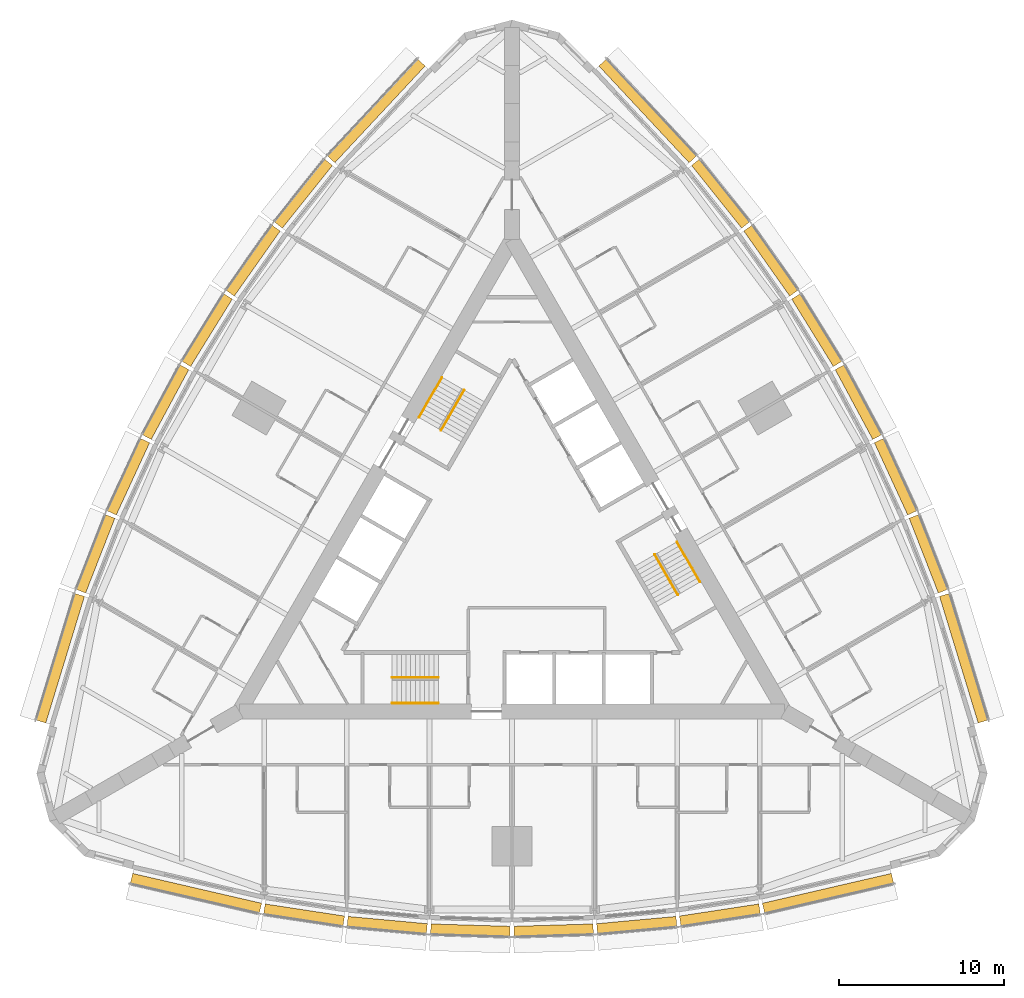
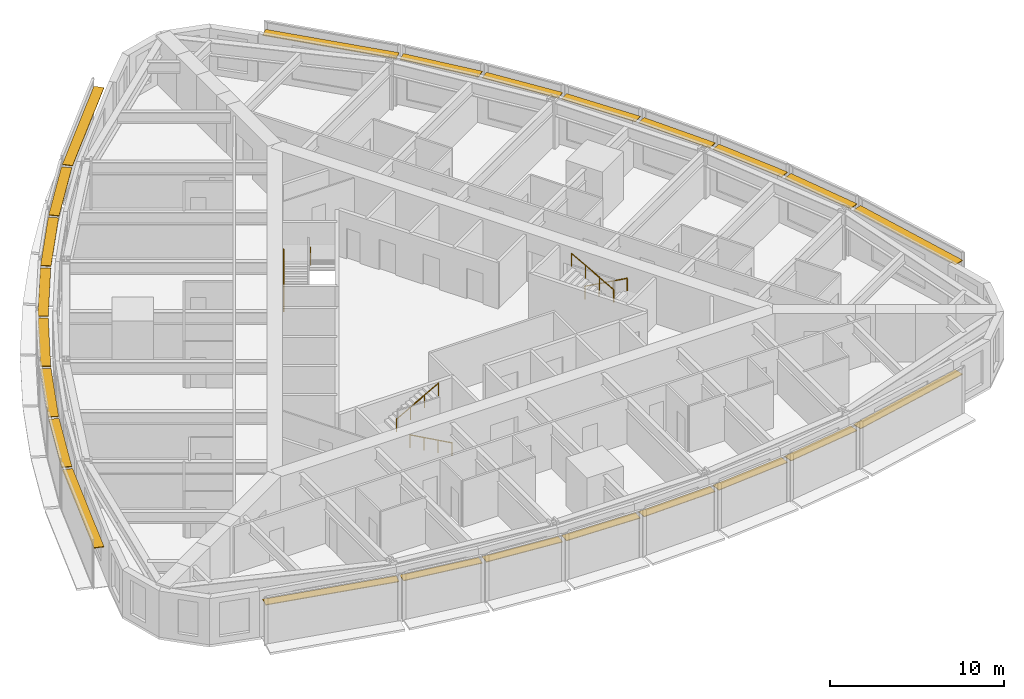
# One storey, part 14 of 14: 24 shading devices, 6 railings.
"""IFC4 building model written with IfcOpenShell, lengths in metres."""

from ifc_helpers import new_model, si_unit, direction, frame, origin, origin_2d, place, context, subcontext, project, spatial, rectangle, circle, extrude, material, type_object, element, save


model = new_model("IFC4")

# Units and contexts
model_context = context("Model", 3, precision=1e-05, world=origin(), true_north=direction((0.0, 1.0)))
body_context = subcontext(model_context, "Body", "Model", "MODEL_VIEW")
ifc_project = project(units=[si_unit("LENGTHUNIT", "METRE"), si_unit("AREAUNIT", "SQUARE_METRE"), si_unit("VOLUMEUNIT", "CUBIC_METRE"), si_unit("PLANEANGLEUNIT", "RADIAN"), si_unit("MASSUNIT", "GRAM", prefix="KILO")], contexts=[model_context])

# Site, building, storey
site_placement = place(None, origin())
site = spatial("IfcSite", under=ifc_project, at=site_placement, CompositionType="ELEMENT")
building_placement = place(site_placement, origin())
building = spatial("IfcBuilding", under=site, at=building_placement, Name="Trikona Tower", CompositionType="ELEMENT")
storey_placement = place(building_placement, frame((0.0, 0.0, 28.5)))
storey = spatial("IfcBuildingStorey", under=building, at=storey_placement, Name="L05", CompositionType="ELEMENT", Elevation=28.5)

# Shading devices
ifc_material_1 = material(Name="Aluminium louvre blade, pale anodised", Category="aluminium")
shading_device_type = type_object("IfcShadingDeviceType", Name="Cavity louvre 600", PredefinedType="USERDEFINED", material=ifc_material_1)
shading_device_1_placement = place(storey_placement, frame((-19.126220703125, -20.5234375, 2.77490234375), z_axis=(0.0, 0.0, 1.0), x_axis=(0.974277718622, -0.225350675607, 0.0)))
element("IfcShadingDevice", 1, at=shading_device_1_placement, inside=storey, type_object=shading_device_type, Name="Cavity louvre L05-00", ObjectType="LOUVRE", PredefinedType="USERDEFINED", context=body_context, shape_type="SweptSolid", body=[
    extrude(rectangle(XDim=8.01123046875, YDim=0.60009765625, at=origin_2d()), origin(), (0.0, 0.0, 1.0), 0.050048828125),
])
shading_device_2_placement = place(storey_placement, frame((-12.584228515625, -21.837158203125, 2.77490234375), z_axis=(0.0, 0.0, 1.0), x_axis=(0.988617896768, -0.150448177754, 0.0)))
element("IfcShadingDevice", 2, at=shading_device_2_placement, inside=storey, type_object=shading_device_type, Name="Cavity louvre L05-01", ObjectType="LOUVRE", PredefinedType="USERDEFINED", context=body_context, shape_type="SweptSolid", body=[
    extrude(rectangle(XDim=4.857666015625, YDim=0.60009765625, at=origin_2d()), origin(), (0.0, 0.0, 1.0), 0.050048828125),
])
shading_device_3_placement = place(storey_placement, frame((-7.55078125, -22.44970703125, 2.77490234375), z_axis=(0.0, 0.0, 1.0), x_axis=(0.995858098326, -0.090921108655, 0.0)))
element("IfcShadingDevice", 3, at=shading_device_3_placement, inside=storey, type_object=shading_device_type, Name="Cavity louvre L05-02", ObjectType="LOUVRE", PredefinedType="USERDEFINED", context=body_context, shape_type="SweptSolid", body=[
    extrude(rectangle(XDim=4.82080078125, YDim=0.60009765625, at=origin_2d()), origin(), (0.0, 0.0, 1.0), 0.050048828125),
])
for number, where, z_axis, x_axis, name in (
    (4, (-2.51708984375, -22.756103515625, 2.77490234375), (0.0, 0.0, 1.0), (0.999537048889, -0.030425119525, 0.0), "Cavity louvre L05-03"),
    (5, (2.51708984375, -22.756103515625, 2.77490234375), (0.0, 0.0, 1.0), (0.999537048889, 0.030425119525, 0.0), "Cavity louvre L05-04"),
):
    element("IfcShadingDevice", number, at=place(storey_placement, frame(where, z_axis=z_axis, x_axis=x_axis)), inside=storey, type_object=shading_device_type, Name=name, ObjectType="LOUVRE", PredefinedType="USERDEFINED", context=body_context, shape_type="SweptSolid", body=[
        extrude(rectangle(XDim=4.80224609375, YDim=0.60009765625, at=origin_2d()), origin(), (0.0, 0.0, 1.0), 0.050048828125),
    ])
shading_device_4_placement = place(storey_placement, frame((7.55078125, -22.44970703125, 2.77490234375), z_axis=(0.0, 0.0, 1.0), x_axis=(0.995858098326, 0.090921108655, 0.0)))
element("IfcShadingDevice", 6, at=shading_device_4_placement, inside=storey, type_object=shading_device_type, Name="Cavity louvre L05-05", ObjectType="LOUVRE", PredefinedType="USERDEFINED", context=body_context, shape_type="SweptSolid", body=[
    extrude(rectangle(XDim=4.82080078125, YDim=0.60009765625, at=origin_2d()), origin(), (0.0, 0.0, 1.0), 0.050048828125),
])
shading_device_5_placement = place(storey_placement, frame((12.584228515625, -21.837158203125, 2.77490234375), z_axis=(0.0, 0.0, 1.0), x_axis=(0.988617896768, 0.150448177754, 0.0)))
element("IfcShadingDevice", 7, at=shading_device_5_placement, inside=storey, type_object=shading_device_type, Name="Cavity louvre L05-06", ObjectType="LOUVRE", PredefinedType="USERDEFINED", context=body_context, shape_type="SweptSolid", body=[
    extrude(rectangle(XDim=4.857666015625, YDim=0.60009765625, at=origin_2d()), origin(), (0.0, 0.0, 1.0), 0.050048828125),
])
for number, where, z_axis, x_axis, name in (
    (8, (19.126220703125, -20.5234375, 2.77490234375), (0.0, 0.0, 1.0), (0.974277718622, 0.225350675607, 0.0), "Cavity louvre L05-07"),
    (9, (27.3369140625, -6.302001953125, 2.77490234375), (0.0, 0.0, 1.0), (-0.291979449475, 0.956424592471, 0.0), "Cavity louvre L05-12"),
):
    element("IfcShadingDevice", number, at=place(storey_placement, frame(where, z_axis=z_axis, x_axis=x_axis)), inside=storey, type_object=shading_device_type, Name=name, ObjectType="LOUVRE", PredefinedType="USERDEFINED", context=body_context, shape_type="SweptSolid", body=[
        extrude(rectangle(XDim=8.01123046875, YDim=0.60009765625, at=origin_2d()), origin(), (0.0, 0.0, 1.0), 0.050048828125),
    ])
shading_device_6_placement = place(storey_placement, frame((25.20361328125, 0.020263671875, 2.77490234375), z_axis=(0.0, 0.0, 1.0), x_axis=(-0.364008876551, 0.931395478726, 0.0)))
element("IfcShadingDevice", 10, at=shading_device_6_placement, inside=storey, type_object=shading_device_type, Name="Cavity louvre L05-13", ObjectType="LOUVRE", PredefinedType="USERDEFINED", context=body_context, shape_type="SweptSolid", body=[
    extrude(rectangle(XDim=4.857666015625, YDim=0.60009765625, at=origin_2d()), origin(), (0.0, 0.0, 1.0), 0.050048828125),
])
shading_device_7_placement = place(storey_placement, frame((23.217529296875, 4.685546875, 2.77490234375), z_axis=(0.0, 0.0, 1.0), x_axis=(-0.41919381307, 0.907896771161, 0.0)))
element("IfcShadingDevice", 11, at=shading_device_7_placement, inside=storey, type_object=shading_device_type, Name="Cavity louvre L05-14", ObjectType="LOUVRE", PredefinedType="USERDEFINED", context=body_context, shape_type="SweptSolid", body=[
    extrude(rectangle(XDim=4.82080078125, YDim=0.60009765625, at=origin_2d()), origin(), (0.0, 0.0, 1.0), 0.050048828125),
])
for number, where, z_axis, x_axis, name in (
    (12, (20.966064453125, 9.1982421875, 2.77490234375), (0.0, 0.0, 1.0), (-0.473422672721, 0.880835383572, 0.0), "Cavity louvre L05-15"),
    (13, (18.448974609375, 13.557861328125, 2.77490234375), (0.0, 0.0, 1.0), (-0.526118935114, 0.85041099835, 0.0), "Cavity louvre L05-16"),
):
    element("IfcShadingDevice", number, at=place(storey_placement, frame(where, z_axis=z_axis, x_axis=x_axis)), inside=storey, type_object=shading_device_type, Name=name, ObjectType="LOUVRE", PredefinedType="USERDEFINED", context=body_context, shape_type="SweptSolid", body=[
        extrude(rectangle(XDim=4.80224609375, YDim=0.60009765625, at=origin_2d()), origin(), (0.0, 0.0, 1.0), 0.050048828125),
    ])
shading_device_8_placement = place(storey_placement, frame((15.666748046875, 17.76416015625, 2.77490234375), z_axis=(0.0, 0.0, 1.0), x_axis=(-0.576661909499, 0.816982889743, 0.0)))
element("IfcShadingDevice", 14, at=shading_device_8_placement, inside=storey, type_object=shading_device_type, Name="Cavity louvre L05-17", ObjectType="LOUVRE", PredefinedType="USERDEFINED", context=body_context, shape_type="SweptSolid", body=[
    extrude(rectangle(XDim=4.82080078125, YDim=0.60009765625, at=origin_2d()), origin(), (0.0, 0.0, 1.0), 0.050048828125),
])
shading_device_9_placement = place(storey_placement, frame((12.619384765625, 21.81689453125, 2.77490234375), z_axis=(0.0, 0.0, 1.0), x_axis=(-0.624603618277, 0.780941944087, 0.0)))
element("IfcShadingDevice", 15, at=shading_device_9_placement, inside=storey, type_object=shading_device_type, Name="Cavity louvre L05-18", ObjectType="LOUVRE", PredefinedType="USERDEFINED", context=body_context, shape_type="SweptSolid", body=[
    extrude(rectangle(XDim=4.857666015625, YDim=0.60009765625, at=origin_2d()), origin(), (0.0, 0.0, 1.0), 0.050048828125),
])
for number, where, z_axis, x_axis, name in (
    (16, (8.210693359375, 26.825439453125, 2.77490234375), (0.0, 0.0, 1.0), (-0.682298269147, 0.731073916864, 0.0), "Cavity louvre L05-19"),
    (17, (-8.210693359375, 26.825439453125, 2.77490234375), (0.0, 0.0, 1.0), (-0.682298269147, -0.731073916864, 0.0), "Cavity louvre L05-24"),
):
    element("IfcShadingDevice", number, at=place(storey_placement, frame(where, z_axis=z_axis, x_axis=x_axis)), inside=storey, type_object=shading_device_type, Name=name, ObjectType="LOUVRE", PredefinedType="USERDEFINED", context=body_context, shape_type="SweptSolid", body=[
        extrude(rectangle(XDim=8.01123046875, YDim=0.60009765625, at=origin_2d()), origin(), (0.0, 0.0, 1.0), 0.050048828125),
    ])
shading_device_10_placement = place(storey_placement, frame((-12.619384765625, 21.81689453125, 2.77490234375), z_axis=(0.0, 0.0, 1.0), x_axis=(-0.624603618277, -0.780941944087, 0.0)))
element("IfcShadingDevice", 18, at=shading_device_10_placement, inside=storey, type_object=shading_device_type, Name="Cavity louvre L05-25", ObjectType="LOUVRE", PredefinedType="USERDEFINED", context=body_context, shape_type="SweptSolid", body=[
    extrude(rectangle(XDim=4.857666015625, YDim=0.60009765625, at=origin_2d()), origin(), (0.0, 0.0, 1.0), 0.050048828125),
])
shading_device_11_placement = place(storey_placement, frame((-15.666748046875, 17.76416015625, 2.77490234375), z_axis=(0.0, 0.0, 1.0), x_axis=(-0.576661909499, -0.816982889743, 0.0)))
element("IfcShadingDevice", 19, at=shading_device_11_placement, inside=storey, type_object=shading_device_type, Name="Cavity louvre L05-26", ObjectType="LOUVRE", PredefinedType="USERDEFINED", context=body_context, shape_type="SweptSolid", body=[
    extrude(rectangle(XDim=4.82080078125, YDim=0.60009765625, at=origin_2d()), origin(), (0.0, 0.0, 1.0), 0.050048828125),
])
for number, where, z_axis, x_axis, name in (
    (20, (-18.448974609375, 13.557861328125, 2.77490234375), (0.0, 0.0, 1.0), (-0.526118935114, -0.85041099835, 0.0), "Cavity louvre L05-27"),
    (21, (-20.966064453125, 9.1982421875, 2.77490234375), (0.0, 0.0, 1.0), (-0.473422672721, -0.880835383572, 0.0), "Cavity louvre L05-28"),
):
    element("IfcShadingDevice", number, at=place(storey_placement, frame(where, z_axis=z_axis, x_axis=x_axis)), inside=storey, type_object=shading_device_type, Name=name, ObjectType="LOUVRE", PredefinedType="USERDEFINED", context=body_context, shape_type="SweptSolid", body=[
        extrude(rectangle(XDim=4.80224609375, YDim=0.60009765625, at=origin_2d()), origin(), (0.0, 0.0, 1.0), 0.050048828125),
    ])
shading_device_12_placement = place(storey_placement, frame((-23.217529296875, 4.685546875, 2.77490234375), z_axis=(0.0, 0.0, 1.0), x_axis=(-0.41919381307, -0.907896771161, 0.0)))
element("IfcShadingDevice", 22, at=shading_device_12_placement, inside=storey, type_object=shading_device_type, Name="Cavity louvre L05-29", ObjectType="LOUVRE", PredefinedType="USERDEFINED", context=body_context, shape_type="SweptSolid", body=[
    extrude(rectangle(XDim=4.82080078125, YDim=0.60009765625, at=origin_2d()), origin(), (0.0, 0.0, 1.0), 0.050048828125),
])
shading_device_13_placement = place(storey_placement, frame((-25.20361328125, 0.020263671875, 2.77490234375), z_axis=(0.0, 0.0, 1.0), x_axis=(-0.364008876551, -0.931395478726, 0.0)))
element("IfcShadingDevice", 23, at=shading_device_13_placement, inside=storey, type_object=shading_device_type, Name="Cavity louvre L05-30", ObjectType="LOUVRE", PredefinedType="USERDEFINED", context=body_context, shape_type="SweptSolid", body=[
    extrude(rectangle(XDim=4.857666015625, YDim=0.60009765625, at=origin_2d()), origin(), (0.0, 0.0, 1.0), 0.050048828125),
])
shading_device_14_placement = place(storey_placement, frame((-27.3369140625, -6.302001953125, 2.77490234375), z_axis=(0.0, 0.0, 1.0), x_axis=(-0.291979449475, -0.956424592471, 0.0)))
element("IfcShadingDevice", 24, at=shading_device_14_placement, inside=storey, type_object=shading_device_type, Name="Cavity louvre L05-31", ObjectType="LOUVRE", PredefinedType="USERDEFINED", context=body_context, shape_type="SweptSolid", body=[
    extrude(rectangle(XDim=8.01123046875, YDim=0.60009765625, at=origin_2d()), origin(), (0.0, 0.0, 1.0), 0.050048828125),
])

# Railings
ifc_material_2 = material(Name="Stainless steel handrail", Category="steel")
railing_type = type_object("IfcRailingType", Name="Stair handrail", PredefinedType="HANDRAIL", material=ifc_material_2)
railing_1_placement = place(storey_placement, frame((-4.449951171875, -9.016357421875, 0.154541015625)))
element("IfcRailing", 25, at=railing_1_placement, inside=storey, type_object=railing_type, Name="Stair handrail A L05 1", PredefinedType="HANDRAIL", context=body_context, shape_type="SweptSolid", body=[
    extrude(circle(Radius=0.02392578125, at=origin_2d()), frame((0.0, 0.0, 0.8759765625), z_axis=(-0.875504190374, 0.0, 0.483210526207), x_axis=(0.0, -1.0, 0.0)), (0.0, 0.0, 1.0), 3.1982421875),
    extrude(circle(Radius=0.02099609375, at=origin_2d()), origin(), (0.0, 0.0, 1.0), 0.851806640625),
    extrude(circle(Radius=0.02099609375, at=origin_2d()), frame((-0.933349609375, 0.0, 0.51513671875)), (0.0, 0.0, 1.0), 0.851806640625),
    extrude(circle(Radius=0.02099609375, at=origin_2d()), frame((-1.86669921875, 0.0, 1.0302734375)), (0.0, 0.0, 1.0), 0.851806640625),
    extrude(circle(Radius=0.02099609375, at=origin_2d()), frame((-2.800048828125, 0.0, 1.54541015625)), (0.0, 0.0, 1.0), 0.851806640625),
])
railing_2_placement = place(storey_placement, frame((-7.25, -7.46630859375, 1.8544921875)))
element("IfcRailing", 26, at=railing_2_placement, inside=storey, type_object=railing_type, Name="Stair handrail A L05 2", PredefinedType="HANDRAIL", context=body_context, shape_type="SweptSolid", body=[
    extrude(circle(Radius=0.02392578125, at=origin_2d()), frame((0.0, 0.0, 0.8759765625), z_axis=(0.875504190374, 0.0, 0.483210526207), x_axis=(0.0, 1.0, 0.0)), (0.0, 0.0, 1.0), 3.1982421875),
    extrude(circle(Radius=0.02099609375, at=origin_2d()), origin(), (0.0, 0.0, 1.0), 0.851806640625),
    extrude(circle(Radius=0.02099609375, at=origin_2d()), frame((0.933349609375, 0.0, 0.51513671875)), (0.0, 0.0, 1.0), 0.851806640625),
    extrude(circle(Radius=0.02099609375, at=origin_2d()), frame((1.86669921875, 0.0, 1.0302734375)), (0.0, 0.0, 1.0), 0.851806640625),
    extrude(circle(Radius=0.02099609375, at=origin_2d()), frame((2.800048828125, 0.0, 1.54541015625)), (0.0, 0.0, 1.0), 0.851806640625),
])
railing_3_placement = place(storey_placement, frame((9.9833984375, 0.740966796875, 0.154541015625)))
element("IfcRailing", 27, at=railing_3_placement, inside=storey, type_object=railing_type, Name="Stair handrail B L05 1", PredefinedType="HANDRAIL", context=body_context, shape_type="SweptSolid", body=[
    extrude(circle(Radius=0.02392578125, at=origin_2d()), frame((0.0, 0.0, 0.8759765625), z_axis=(0.437707188162, -0.758239536103, 0.483203087036), x_axis=(0.866056369097, 0.49994636267, 0.0)), (0.0, 0.0, 1.0), 3.1982421875),
    extrude(circle(Radius=0.02099609375, at=origin_2d()), origin(), (0.0, 0.0, 1.0), 0.851806640625),
    extrude(circle(Radius=0.02099609375, at=origin_2d()), frame((0.466552734375, -0.808349609375, 0.51513671875)), (0.0, 0.0, 1.0), 0.851806640625),
    extrude(circle(Radius=0.02099609375, at=origin_2d()), frame((0.933349609375, -1.61669921875, 1.0302734375)), (0.0, 0.0, 1.0), 0.851806640625),
    extrude(circle(Radius=0.02099609375, at=origin_2d()), frame((1.39990234375, -2.425048828125, 1.54541015625)), (0.0, 0.0, 1.0), 0.851806640625),
])
railing_4_placement = place(storey_placement, frame((10.041015625, -2.458984375, 1.8544921875)))
element("IfcRailing", 28, at=railing_4_placement, inside=storey, type_object=railing_type, Name="Stair handrail B L05 2", PredefinedType="HANDRAIL", context=body_context, shape_type="SweptSolid", body=[
    extrude(circle(Radius=0.02392578125, at=origin_2d()), frame((0.0, 0.0, 0.8759765625), z_axis=(-0.437707188162, 0.758239536103, 0.483203087036), x_axis=(-0.866056369097, -0.49994636267, 0.0)), (0.0, 0.0, 1.0), 3.1982421875),
    extrude(circle(Radius=0.02099609375, at=origin_2d()), origin(), (0.0, 0.0, 1.0), 0.851806640625),
    extrude(circle(Radius=0.02099609375, at=origin_2d()), frame((-0.466552734375, 0.808349609375, 0.51513671875)), (0.0, 0.0, 1.0), 0.851806640625),
    extrude(circle(Radius=0.02099609375, at=origin_2d()), frame((-0.933349609375, 1.61669921875, 1.0302734375)), (0.0, 0.0, 1.0), 0.851806640625),
    extrude(circle(Radius=0.02099609375, at=origin_2d()), frame((-1.39990234375, 2.425048828125, 1.54541015625)), (0.0, 0.0, 1.0), 0.851806640625),
])
railing_5_placement = place(storey_placement, frame((-5.63330078125, 8.275390625, 0.154541015625)))
element("IfcRailing", 29, at=railing_5_placement, inside=storey, type_object=railing_type, Name="Stair handrail C L05 1", PredefinedType="HANDRAIL", context=body_context, shape_type="SweptSolid", body=[
    extrude(circle(Radius=0.02392578125, at=origin_2d()), frame((0.0, 0.0, 0.8759765625), z_axis=(0.437732523806, 0.758207085183, 0.483231056102), x_axis=(-0.866034573852, 0.49998411664, 0.0)), (0.0, 0.0, 1.0), 3.197998046875),
    extrude(circle(Radius=0.02099609375, at=origin_2d()), origin(), (0.0, 0.0, 1.0), 0.851806640625),
    extrude(circle(Radius=0.02099609375, at=origin_2d()), frame((0.466552734375, 0.808349609375, 0.51513671875)), (0.0, 0.0, 1.0), 0.851806640625),
    extrude(circle(Radius=0.02099609375, at=origin_2d()), frame((0.933349609375, 1.616455078125, 1.0302734375)), (0.0, 0.0, 1.0), 0.851806640625),
    extrude(circle(Radius=0.02099609375, at=origin_2d()), frame((1.39990234375, 2.4248046875, 1.54541015625)), (0.0, 0.0, 1.0), 0.851806640625),
])
railing_6_placement = place(storey_placement, frame((-2.89111328125, 9.92529296875, 1.8544921875)))
element("IfcRailing", 30, at=railing_6_placement, inside=storey, type_object=railing_type, Name="Stair handrail C L05 2", PredefinedType="HANDRAIL", context=body_context, shape_type="SweptSolid", body=[
    extrude(circle(Radius=0.02392578125, at=origin_2d()), frame((0.0, 0.0, 0.8759765625), z_axis=(-0.437707188162, -0.758239536103, 0.483203087036), x_axis=(0.866056369097, -0.49994636267, 0.0)), (0.0, 0.0, 1.0), 3.1982421875),
    extrude(circle(Radius=0.02099609375, at=origin_2d()), origin(), (0.0, 0.0, 1.0), 0.851806640625),
    extrude(circle(Radius=0.02099609375, at=origin_2d()), frame((-0.466552734375, -0.808349609375, 0.51513671875)), (0.0, 0.0, 1.0), 0.851806640625),
    extrude(circle(Radius=0.02099609375, at=origin_2d()), frame((-0.933349609375, -1.61669921875, 1.0302734375)), (0.0, 0.0, 1.0), 0.851806640625),
    extrude(circle(Radius=0.02099609375, at=origin_2d()), frame((-1.39990234375, -2.425048828125, 1.54541015625)), (0.0, 0.0, 1.0), 0.851806640625),
])

save(model, "model.ifc")
